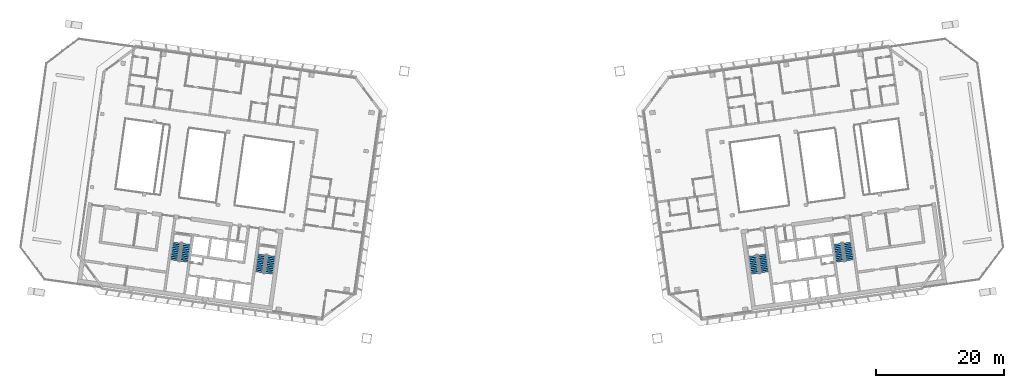
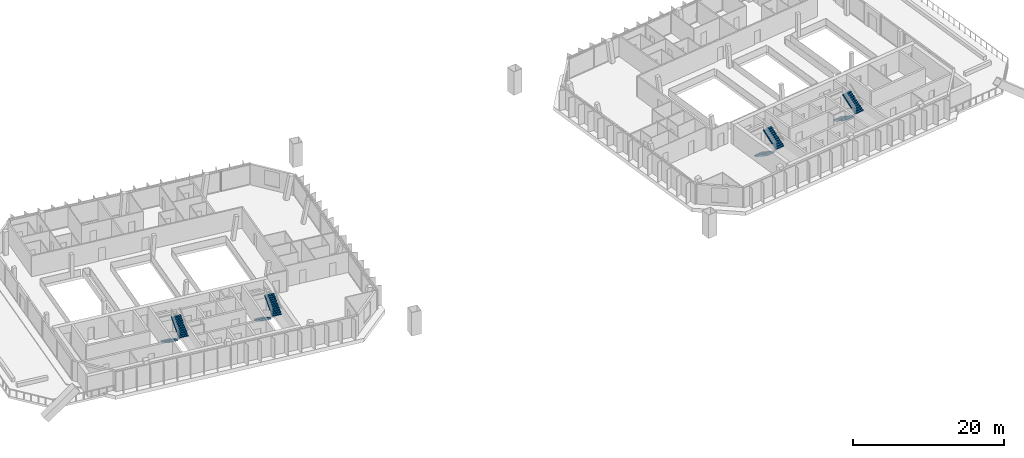
# One storey, part 16 of 19: 8 stair flights, 4 elements without a shape of their own.
"""IFC4 building model written with IfcOpenShell, lengths in metres."""

from ifc_helpers import new_model, si_unit, direction, frame, origin, place, context, subcontext, project, spatial, polyline, outline, extrude, material, type_object, element, aggregate, save


model = new_model("IFC4")

# Units and contexts
model_context = context("Model", 3, precision=1e-05, world=origin(), true_north=direction((0.0, 1.0)))
body_context = subcontext(model_context, "Body", "Model", "MODEL_VIEW")
ifc_project = project(units=[si_unit("LENGTHUNIT", "METRE"), si_unit("AREAUNIT", "SQUARE_METRE"), si_unit("VOLUMEUNIT", "CUBIC_METRE"), si_unit("PLANEANGLEUNIT", "RADIAN"), si_unit("MASSUNIT", "GRAM", prefix="KILO")], contexts=[model_context])

# Site, building, storey
site_placement = place(None, origin())
site = spatial("IfcSite", under=ifc_project, at=site_placement, CompositionType="ELEMENT")
building_placement = place(site_placement, origin())
building = spatial("IfcBuilding", under=site, at=building_placement, Name="Mirante Cascada Hotel Towers", CompositionType="ELEMENT")
storey_placement = place(building_placement, frame((0.0, 0.0, 231.8)))
storey = spatial("IfcBuildingStorey", under=building, at=storey_placement, Name="L55", CompositionType="ELEMENT", Elevation=231.8)

# Stair, stair flights
ifc_material_1 = material(Name="Concrete C35/45", Category="concrete")
stair_type = type_object("IfcStairType", Name="Exit stair half-turn 1350 concrete C35/45", PredefinedType="HALF_TURN_STAIR", material=ifc_material_1)
stair_1_placement = place(storey_placement, origin())
stair_1 = element("IfcStair", 1, at=stair_1_placement, inside=storey, type_object=stair_type, Name="L55 Exit stair A", PredefinedType="HALF_TURN_STAIR")
ifc_material_2 = material(Name="Concrete C35/45", Category="concrete")
stair_flight_type = type_object("IfcStairFlightType", Name="Exit stair flight 1350 concrete C35/45", PredefinedType="STRAIGHT", material=ifc_material_2)
stair_flight_1_placement = place(storey_placement, frame((-38.9417, -11.195, 0.0), z_axis=(0.0, 0.0, 1.0), x_axis=(-0.1391731, -0.9902681, 0.0)))
stair_flight_1 = element("IfcStairFlight", 2, at=stair_flight_1_placement, type_object=stair_flight_type, Name="ST1-A flight 1", NumberOfRisers=11, NumberOfTreads=10, PredefinedType="STRAIGHT", RiserHeight=0.172727273, TreadLength=0.28, context=body_context, shape_type="SweptSolid", body=[
    extrude(outline(polyline([(0.0, 0.0), (0.0, 0.1727), (0.28, 0.1727), (0.28, 0.3455), (0.56, 0.3455), (0.56, 0.5182), (0.84, 0.5182), (0.84, 0.6909), (1.12, 0.6909), (1.12, 0.8636), (1.4, 0.8636), (1.4, 1.0364), (1.68, 1.0364), (1.68, 1.2091), (1.96, 1.2091), (1.96, 1.3818), (2.24, 1.3818), (2.24, 1.5545), (2.52, 1.5545), (2.52, 1.7273), (2.8, 1.7273), (2.8, 1.9), (2.8, 1.551), (0.2857, 0.0), (0.0, 0.0)])), frame((0.0, 0.675, 0.0), z_axis=(0.0, -1.0, 0.0), x_axis=(1.0, 0.0, 0.0)), (0.0, 0.0, 1.0), 1.35),
])
stair_flight_2_placement = place(storey_placement, frame((-37.846, -14.1765, 1.9), z_axis=(0.0, 0.0, 1.0), x_axis=(0.1391731, 0.9902681, 0.0)))
stair_flight_2 = element("IfcStairFlight", 3, at=stair_flight_2_placement, type_object=stair_flight_type, Name="ST1-A flight 2", NumberOfRisers=11, NumberOfTreads=10, PredefinedType="STRAIGHT", RiserHeight=0.172727273, TreadLength=0.28, context=body_context, shape_type="SweptSolid", body=[
    extrude(outline(polyline([(0.0, 0.0), (0.0, 0.1727), (0.28, 0.1727), (0.28, 0.3455), (0.56, 0.3455), (0.56, 0.5182), (0.84, 0.5182), (0.84, 0.6909), (1.12, 0.6909), (1.12, 0.8636), (1.4, 0.8636), (1.4, 1.0364), (1.68, 1.0364), (1.68, 1.2091), (1.96, 1.2091), (1.96, 1.3818), (2.24, 1.3818), (2.24, 1.5545), (2.52, 1.5545), (2.52, 1.7273), (2.8, 1.7273), (2.8, 1.9), (2.8, 1.551), (0.2857, 0.0), (0.0, 0.0)])), frame((0.0, 0.675, 0.0), z_axis=(0.0, -1.0, 0.0), x_axis=(1.0, 0.0, 0.0)), (0.0, 0.0, 1.0), 1.35),
])
aggregate(stair_1, [stair_flight_1, stair_flight_2])

stair_2_placement = place(storey_placement, origin())
stair_2 = element("IfcStair", 4, at=stair_2_placement, inside=storey, type_object=stair_type, Name="L55 Exit stair B", PredefinedType="HALF_TURN_STAIR")
stair_flight_3_placement = place(storey_placement, frame((-52.1618, -9.3371, 0.0), z_axis=(0.0, 0.0, 1.0), x_axis=(-0.1391731, -0.9902681, 0.0)))
stair_flight_3 = element("IfcStairFlight", 5, at=stair_flight_3_placement, type_object=stair_flight_type, Name="ST1-B flight 1", NumberOfRisers=11, NumberOfTreads=10, PredefinedType="STRAIGHT", RiserHeight=0.172727273, TreadLength=0.28, context=body_context, shape_type="SweptSolid", body=[
    extrude(outline(polyline([(0.0, 0.0), (0.0, 0.1727), (0.28, 0.1727), (0.28, 0.3455), (0.56, 0.3455), (0.56, 0.5182), (0.84, 0.5182), (0.84, 0.6909), (1.12, 0.6909), (1.12, 0.8636), (1.4, 0.8636), (1.4, 1.0364), (1.68, 1.0364), (1.68, 1.2091), (1.96, 1.2091), (1.96, 1.3818), (2.24, 1.3818), (2.24, 1.5545), (2.52, 1.5545), (2.52, 1.7273), (2.8, 1.7273), (2.8, 1.9), (2.8, 1.551), (0.2857, 0.0), (0.0, 0.0)])), frame((0.0, 0.675, 0.0), z_axis=(0.0, -1.0, 0.0), x_axis=(1.0, 0.0, 0.0)), (0.0, 0.0, 1.0), 1.35),
])
stair_flight_4_placement = place(storey_placement, frame((-51.0661, -12.3186, 1.9), z_axis=(0.0, 0.0, 1.0), x_axis=(0.1391731, 0.9902681, 0.0)))
stair_flight_4 = element("IfcStairFlight", 6, at=stair_flight_4_placement, type_object=stair_flight_type, Name="ST1-B flight 2", NumberOfRisers=11, NumberOfTreads=10, PredefinedType="STRAIGHT", RiserHeight=0.172727273, TreadLength=0.28, context=body_context, shape_type="SweptSolid", body=[
    extrude(outline(polyline([(0.0, 0.0), (0.0, 0.1727), (0.28, 0.1727), (0.28, 0.3455), (0.56, 0.3455), (0.56, 0.5182), (0.84, 0.5182), (0.84, 0.6909), (1.12, 0.6909), (1.12, 0.8636), (1.4, 0.8636), (1.4, 1.0364), (1.68, 1.0364), (1.68, 1.2091), (1.96, 1.2091), (1.96, 1.3818), (2.24, 1.3818), (2.24, 1.5545), (2.52, 1.5545), (2.52, 1.7273), (2.8, 1.7273), (2.8, 1.9), (2.8, 1.551), (0.2857, 0.0), (0.0, 0.0)])), frame((0.0, 0.675, 0.0), z_axis=(0.0, -1.0, 0.0), x_axis=(1.0, 0.0, 0.0)), (0.0, 0.0, 1.0), 1.35),
])
aggregate(stair_2, [stair_flight_3, stair_flight_4])

stair_3_placement = place(storey_placement, origin())
stair_3 = element("IfcStair", 7, at=stair_3_placement, inside=storey, type_object=stair_type, Name="L55 Exit stair A", PredefinedType="HALF_TURN_STAIR")
stair_flight_5_placement = place(storey_placement, frame((37.4563, -11.4038, 0.0), z_axis=(0.0, 0.0, 1.0), x_axis=(0.1391731, -0.9902681, 0.0)))
stair_flight_5 = element("IfcStairFlight", 8, at=stair_flight_5_placement, type_object=stair_flight_type, Name="ST2-A flight 1", NumberOfRisers=11, NumberOfTreads=10, PredefinedType="STRAIGHT", RiserHeight=0.172727273, TreadLength=0.28, context=body_context, shape_type="SweptSolid", body=[
    extrude(outline(polyline([(0.0, 0.0), (0.0, 0.1727), (0.28, 0.1727), (0.28, 0.3455), (0.56, 0.3455), (0.56, 0.5182), (0.84, 0.5182), (0.84, 0.6909), (1.12, 0.6909), (1.12, 0.8636), (1.4, 0.8636), (1.4, 1.0364), (1.68, 1.0364), (1.68, 1.2091), (1.96, 1.2091), (1.96, 1.3818), (2.24, 1.3818), (2.24, 1.5545), (2.52, 1.5545), (2.52, 1.7273), (2.8, 1.7273), (2.8, 1.9), (2.8, 1.551), (0.2857, 0.0), (0.0, 0.0)])), frame((0.0, 0.675, 0.0), z_axis=(0.0, -1.0, 0.0), x_axis=(1.0, 0.0, 0.0)), (0.0, 0.0, 1.0), 1.35),
])
stair_flight_6_placement = place(storey_placement, frame((39.3314, -13.9678, 1.9), z_axis=(0.0, 0.0, 1.0), x_axis=(-0.1391731, 0.9902681, 0.0)))
stair_flight_6 = element("IfcStairFlight", 9, at=stair_flight_6_placement, type_object=stair_flight_type, Name="ST2-A flight 2", NumberOfRisers=11, NumberOfTreads=10, PredefinedType="STRAIGHT", RiserHeight=0.172727273, TreadLength=0.28, context=body_context, shape_type="SweptSolid", body=[
    extrude(outline(polyline([(0.0, 0.0), (0.0, 0.1727), (0.28, 0.1727), (0.28, 0.3455), (0.56, 0.3455), (0.56, 0.5182), (0.84, 0.5182), (0.84, 0.6909), (1.12, 0.6909), (1.12, 0.8636), (1.4, 0.8636), (1.4, 1.0364), (1.68, 1.0364), (1.68, 1.2091), (1.96, 1.2091), (1.96, 1.3818), (2.24, 1.3818), (2.24, 1.5545), (2.52, 1.5545), (2.52, 1.7273), (2.8, 1.7273), (2.8, 1.9), (2.8, 1.551), (0.2857, 0.0), (0.0, 0.0)])), frame((0.0, 0.675, 0.0), z_axis=(0.0, -1.0, 0.0), x_axis=(1.0, 0.0, 0.0)), (0.0, 0.0, 1.0), 1.35),
])
aggregate(stair_3, [stair_flight_5, stair_flight_6])

stair_4_placement = place(storey_placement, origin())
stair_4 = element("IfcStair", 10, at=stair_4_placement, inside=storey, type_object=stair_type, Name="L55 Exit stair B", PredefinedType="HALF_TURN_STAIR")
stair_flight_7_placement = place(storey_placement, frame((50.6764, -9.5458, 0.0), z_axis=(0.0, 0.0, 1.0), x_axis=(0.1391731, -0.9902681, 0.0)))
stair_flight_7 = element("IfcStairFlight", 11, at=stair_flight_7_placement, type_object=stair_flight_type, Name="ST2-B flight 1", NumberOfRisers=11, NumberOfTreads=10, PredefinedType="STRAIGHT", RiserHeight=0.172727273, TreadLength=0.28, context=body_context, shape_type="SweptSolid", body=[
    extrude(outline(polyline([(0.0, 0.0), (0.0, 0.1727), (0.28, 0.1727), (0.28, 0.3455), (0.56, 0.3455), (0.56, 0.5182), (0.84, 0.5182), (0.84, 0.6909), (1.12, 0.6909), (1.12, 0.8636), (1.4, 0.8636), (1.4, 1.0364), (1.68, 1.0364), (1.68, 1.2091), (1.96, 1.2091), (1.96, 1.3818), (2.24, 1.3818), (2.24, 1.5545), (2.52, 1.5545), (2.52, 1.7273), (2.8, 1.7273), (2.8, 1.9), (2.8, 1.551), (0.2857, 0.0), (0.0, 0.0)])), frame((0.0, 0.675, 0.0), z_axis=(0.0, -1.0, 0.0), x_axis=(1.0, 0.0, 0.0)), (0.0, 0.0, 1.0), 1.35),
])
stair_flight_8_placement = place(storey_placement, frame((52.5515, -12.1098, 1.9), z_axis=(0.0, 0.0, 1.0), x_axis=(-0.1391731, 0.9902681, 0.0)))
stair_flight_8 = element("IfcStairFlight", 12, at=stair_flight_8_placement, type_object=stair_flight_type, Name="ST2-B flight 2", NumberOfRisers=11, NumberOfTreads=10, PredefinedType="STRAIGHT", RiserHeight=0.172727273, TreadLength=0.28, context=body_context, shape_type="SweptSolid", body=[
    extrude(outline(polyline([(0.0, 0.0), (0.0, 0.1727), (0.28, 0.1727), (0.28, 0.3455), (0.56, 0.3455), (0.56, 0.5182), (0.84, 0.5182), (0.84, 0.6909), (1.12, 0.6909), (1.12, 0.8636), (1.4, 0.8636), (1.4, 1.0364), (1.68, 1.0364), (1.68, 1.2091), (1.96, 1.2091), (1.96, 1.3818), (2.24, 1.3818), (2.24, 1.5545), (2.52, 1.5545), (2.52, 1.7273), (2.8, 1.7273), (2.8, 1.9), (2.8, 1.551), (0.2857, 0.0), (0.0, 0.0)])), frame((0.0, 0.675, 0.0), z_axis=(0.0, -1.0, 0.0), x_axis=(1.0, 0.0, 0.0)), (0.0, 0.0, 1.0), 1.35),
])
aggregate(stair_4, [stair_flight_7, stair_flight_8])

save(model, "model.ifc")
